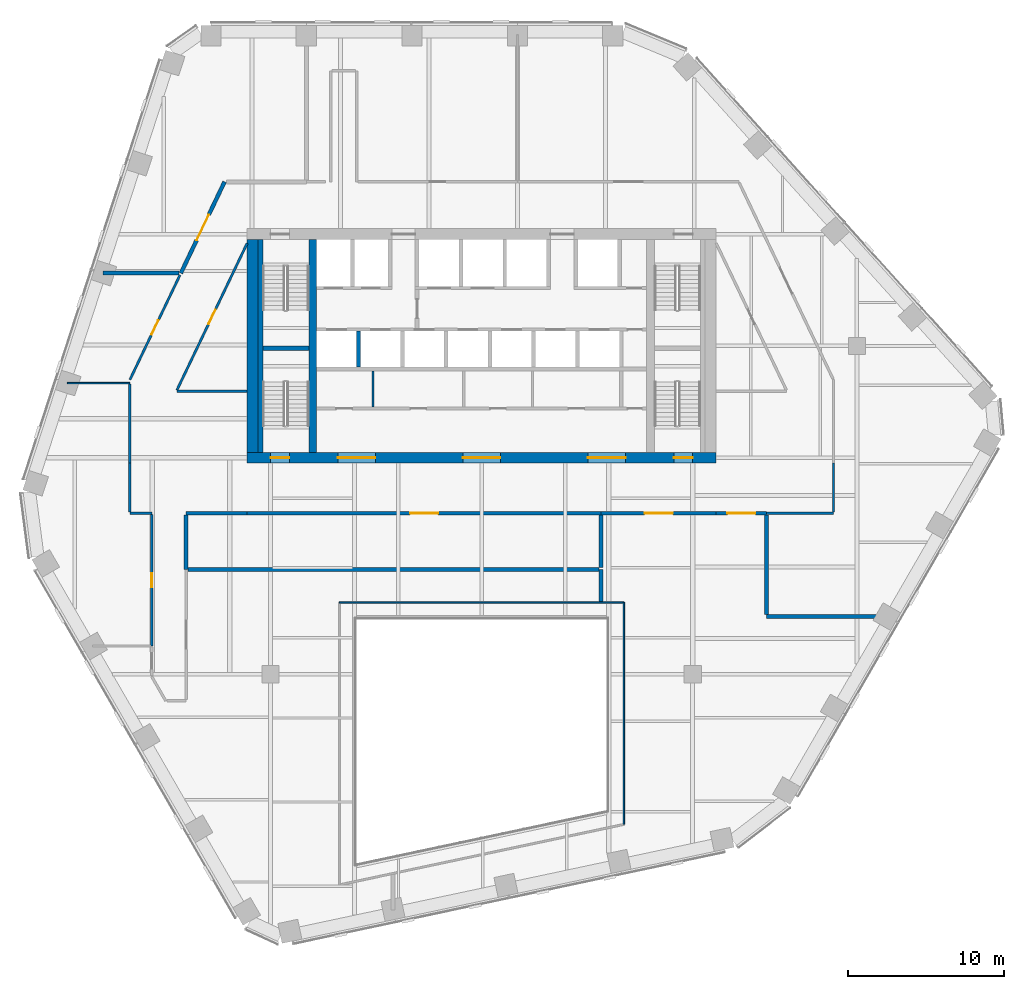
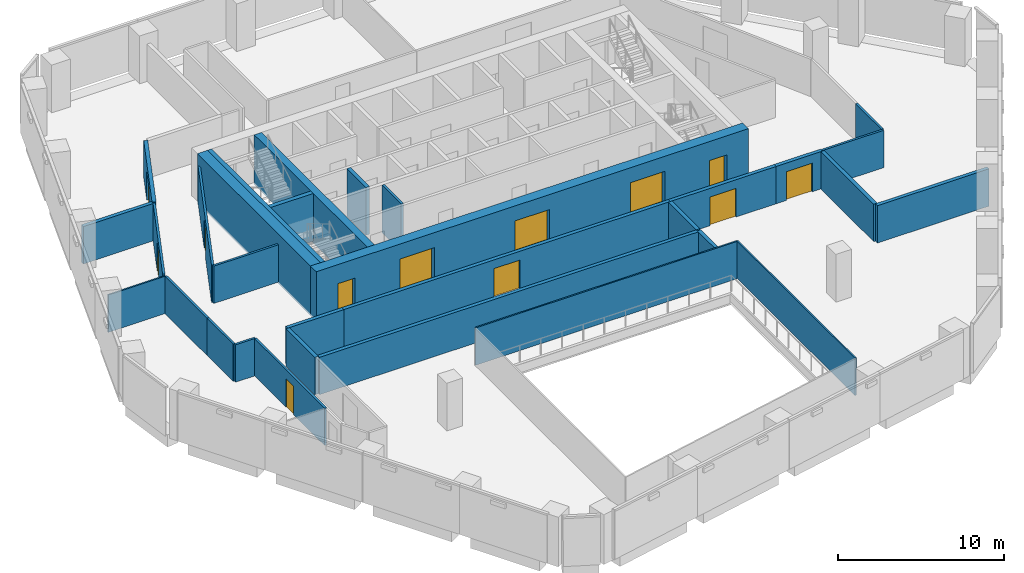
# One storey, part 11 of 17: 31 walls, 12 doors, 12 openings.
"""IFC4 building model written with IfcOpenShell, lengths in metres."""

from ifc_helpers import new_model, si_unit, direction, frame, frame_2d, origin, place, context, subcontext, project, spatial, rectangle, extrude, material, layer, layer_set, type_object, element, fill, save


model = new_model("IFC4")

# Units and contexts
model_context = context("Model", 3, precision=1e-05, world=origin(), true_north=direction((0.0, 1.0)))
body_context = subcontext(model_context, "Body", "Model", "MODEL_VIEW")
ifc_project = project(units=[si_unit("LENGTHUNIT", "METRE"), si_unit("AREAUNIT", "SQUARE_METRE"), si_unit("VOLUMEUNIT", "CUBIC_METRE"), si_unit("PLANEANGLEUNIT", "RADIAN"), si_unit("MASSUNIT", "GRAM", prefix="KILO")], contexts=[model_context])

# Site, building, storey
site_placement = place(None, origin())
site = spatial("IfcSite", under=ifc_project, at=site_placement, CompositionType="ELEMENT")
building_placement = place(site_placement, origin())
building = spatial("IfcBuilding", under=site, at=building_placement, Name="Isthmus Gate Tower", CompositionType="ELEMENT")
storey_placement = place(building_placement, frame((0.0, 0.0, 200.0)))
storey = spatial("IfcBuildingStorey", under=building, at=storey_placement, Name="L50", CompositionType="ELEMENT", Elevation=200.0)

# Wall, opening, door
ifc_material_1 = material(Name="Double-leaf acoustic stud wall, fire-rated", Category="gypsum")
ifc_layer_1 = layer(ifc_material_1, 0.25)
ifc_layer_set_1 = layer_set([ifc_layer_1], Name="ACOUSTIC WALL 250 60 MIN")
wall_type_1 = type_object("IfcWallType", Name="ACOUSTIC WALL 250 60 MIN", PredefinedType="PARTITIONING", material=ifc_layer_set_1)
wall_1_placement = place(storey_placement, frame((15.0, -3.199951171875, 0.0), z_axis=(0.0, 0.0, 1.0), x_axis=(-1.0, 0.0, 0.0)))
wall_1 = element("IfcWall", 1, at=wall_1_placement, inside=storey, type_object=wall_type_1, Name="L50 Acoustic Wall 250 60 Min", PredefinedType="PARTITIONING", context=body_context, shape_type="SweptSolid", body=[
    extrude(rectangle(XDim=7.35498046875, YDim=0.25, at=frame_2d((3.677490234375, 0.0))), origin(), (0.0, 0.0, 1.0), 2.7412109375),
])
opening_1_placement = place(wall_1_placement, frame((2.777587890625, 0.0, 0.0)))
opening_1 = element("IfcOpeningElement", 2, at=opening_1_placement, cuts=wall_1, Name="Opening DT-T4D-11", PredefinedType="OPENING", context=body_context, shape_type="SweptSolid", body=[
    extrude(rectangle(XDim=1.800048828125, YDim=2.10009765625, at=frame_2d((0.89990234375, 1.050048828125))), frame((0.0, 0.135009765625, 0.0), z_axis=(0.0, -1.0, 0.0), x_axis=(1.0, 0.0, 0.0)), (0.0, 0.0, 1.0), 0.27001953125),
])
ifc_material_2 = material(Name="Solid core timber door leaf, fire-rated", Category="wood")
door_type_1 = type_object("IfcDoorType", Name="FIRE DOOR ACOUSTIC ROOM 1800 X 2100 60 MIN", OperationType="DOUBLE_DOOR_DOUBLE_SWING", PredefinedType="DOOR", material=ifc_material_2)
door_1_placement = place(opening_1_placement, origin())
door_1 = element("IfcDoor", 3, at=door_1_placement, inside=storey, type_object=door_type_1, Name="L50 room door", OperationType="DOUBLE_DOOR_DOUBLE_SWING", OverallHeight=2.10009765625, OverallWidth=1.800048828125, PredefinedType="DOOR", context=body_context, shape_type="SweptSolid", body=[
    extrude(rectangle(XDim=1.800048828125, YDim=2.10009765625, at=frame_2d((0.89990234375, 1.050048828125))), frame((0.0, 0.02490234375, 0.0), z_axis=(0.0, -1.0, 0.0), x_axis=(1.0, 0.0, 0.0)), (0.0, 0.0, 1.0), 0.050048828125),
])
fill(opening_1, door_1)

wall_2_placement = place(storey_placement, frame((7.64501953125, -3.199951171875, 0.0), z_axis=(0.0, 0.0, 1.0), x_axis=(-1.0, 0.0, 0.0)))
wall_2 = element("IfcWall", 4, at=wall_2_placement, inside=storey, type_object=wall_type_1, Name="L50 Acoustic Wall 250 60 Min", PredefinedType="PARTITIONING", context=body_context, shape_type="SweptSolid", body=[
    extrude(rectangle(XDim=22.64501953125, YDim=0.25, at=frame_2d((11.322509765625, 0.0))), origin(), (0.0, 0.0, 1.0), 2.7412109375),
])
opening_2_placement = place(wall_2_placement, frame((10.422607421875, 0.0, 0.0)))
opening_2 = element("IfcOpeningElement", 5, at=opening_2_placement, cuts=wall_2, Name="Opening DT-T4D-13", PredefinedType="OPENING", context=body_context, shape_type="SweptSolid", body=[
    extrude(rectangle(XDim=1.800048828125, YDim=2.10009765625, at=frame_2d((0.89990234375, 1.050048828125))), frame((0.0, 0.135009765625, 0.0), z_axis=(0.0, -1.0, 0.0), x_axis=(1.0, 0.0, 0.0)), (0.0, 0.0, 1.0), 0.27001953125),
])
door_2_placement = place(opening_2_placement, origin())
door_2 = element("IfcDoor", 6, at=door_2_placement, inside=storey, type_object=door_type_1, Name="L50 room door", OperationType="DOUBLE_DOOR_DOUBLE_SWING", OverallHeight=2.10009765625, OverallWidth=1.800048828125, PredefinedType="DOOR", context=body_context, shape_type="SweptSolid", body=[
    extrude(rectangle(XDim=1.800048828125, YDim=2.10009765625, at=frame_2d((0.89990234375, 1.050048828125))), frame((0.0, 0.02490234375, 0.0), z_axis=(0.0, -1.0, 0.0), x_axis=(1.0, 0.0, 0.0)), (0.0, 0.0, 1.0), 0.050048828125),
])
fill(opening_2, door_2)

wall_3_placement = place(storey_placement, frame((18.222900390625, -3.199951171875, 0.0), z_axis=(0.0, 0.0, 1.0), x_axis=(-1.0, 0.0, 0.0)))
wall_3 = element("IfcWall", 7, at=wall_3_placement, inside=storey, type_object=wall_type_1, Name="L50 Acoustic Wall 250 60 Min", PredefinedType="PARTITIONING", context=body_context, shape_type="SweptSolid", body=[
    extrude(rectangle(XDim=3.222900390625, YDim=0.25, at=frame_2d((1.611328125, 0.0))), origin(), (0.0, 0.0, 1.0), 2.7412109375),
])
opening_3_placement = place(wall_3_placement, frame((0.71142578125, 0.0, 0.0)))
opening_3 = element("IfcOpeningElement", 8, at=opening_3_placement, cuts=wall_3, Name="Opening DT-T4D-12", PredefinedType="OPENING", context=body_context, shape_type="SweptSolid", body=[
    extrude(rectangle(XDim=1.800048828125, YDim=2.10009765625, at=frame_2d((0.89990234375, 1.050048828125))), frame((0.0, 0.135009765625, 0.0), z_axis=(0.0, -1.0, 0.0), x_axis=(1.0, 0.0, 0.0)), (0.0, 0.0, 1.0), 0.27001953125),
])
door_3_placement = place(opening_3_placement, origin())
door_3 = element("IfcDoor", 9, at=door_3_placement, inside=storey, type_object=door_type_1, Name="L50 room door", OperationType="DOUBLE_DOOR_DOUBLE_SWING", OverallHeight=2.10009765625, OverallWidth=1.800048828125, PredefinedType="DOOR", context=body_context, shape_type="SweptSolid", body=[
    extrude(rectangle(XDim=1.800048828125, YDim=2.10009765625, at=frame_2d((0.89990234375, 1.050048828125))), frame((0.0, 0.02490234375, 0.0), z_axis=(0.0, -1.0, 0.0), x_axis=(1.0, 0.0, 0.0)), (0.0, 0.0, 1.0), 0.050048828125),
])
fill(opening_3, door_3)

# Walls
wall_4_placement = place(storey_placement, frame((-15.0, -3.199951171875, 0.0), z_axis=(0.0, 0.0, 1.0), x_axis=(-1.0, 0.0, 0.0)))
element("IfcWall", 10, at=wall_4_placement, inside=storey, type_object=wall_type_1, Name="L50 Acoustic Wall 250 60 Min", PredefinedType="PARTITIONING", context=body_context, shape_type="SweptSolid", body=[
    extrude(rectangle(XDim=3.89990234375, YDim=0.25, at=frame_2d((1.949951171875, 0.0))), origin(), (0.0, 0.0, 1.0), 2.7412109375),
])
wall_5_placement = place(storey_placement, frame((-18.89990234375, -3.324951171875, 0.0), z_axis=(0.0, 0.0, 1.0), x_axis=(0.0, -1.0, 0.0)))
element("IfcWall", 11, at=wall_5_placement, inside=storey, type_object=wall_type_1, Name="L50 Acoustic Wall 250 60 Min", PredefinedType="PARTITIONING", context=body_context, shape_type="SweptSolid", body=[
    extrude(rectangle(XDim=3.47509765625, YDim=0.25, at=frame_2d((1.737548828125, 0.0))), origin(), (0.0, 0.0, 1.0), 2.7412109375),
])

# Wall, opening, door
wall_6_placement = place(storey_placement, frame((-19.239990234375, 12.156005859375, 0.0), z_axis=(0.0, 0.0, 1.0), x_axis=(0.43145149658, 0.902136135014, 0.0)))
wall_6 = element("IfcWall", 12, at=wall_6_placement, inside=storey, type_object=wall_type_1, Name="L50 Acoustic Wall 250 60 Min", PredefinedType="PARTITIONING", context=body_context, shape_type="SweptSolid", body=[
    extrude(rectangle(XDim=6.47802734375, YDim=0.25, at=frame_2d((3.239013671875, 0.0))), origin(), (0.0, 0.0, 1.0), 2.7412109375),
])
opening_4_placement = place(wall_6_placement, frame((2.339111328125, 0.0, 0.0)))
opening_4 = element("IfcOpeningElement", 13, at=opening_4_placement, cuts=wall_6, Name="Opening DT-T4D-02", PredefinedType="OPENING", context=body_context, shape_type="SweptSolid", body=[
    extrude(rectangle(XDim=1.800048828125, YDim=2.10009765625, at=frame_2d((0.89990234375, 1.050048828125))), frame((0.0, 0.135009765625, 0.0), z_axis=(0.0, -1.0, 0.0), x_axis=(1.0, 0.0, 0.0)), (0.0, 0.0, 1.0), 0.27001953125),
])
door_4_placement = place(opening_4_placement, origin())
door_4 = element("IfcDoor", 14, at=door_4_placement, inside=storey, type_object=door_type_1, Name="L50 room door", OperationType="DOUBLE_DOOR_DOUBLE_SWING", OverallHeight=2.10009765625, OverallWidth=1.800048828125, PredefinedType="DOOR", context=body_context, shape_type="SweptSolid", body=[
    extrude(rectangle(XDim=1.800048828125, YDim=2.10009765625, at=frame_2d((0.89990234375, 1.050048828125))), frame((0.0, 0.02490234375, 0.0), z_axis=(0.0, -1.0, 0.0), x_axis=(1.0, 0.0, 0.0)), (0.0, 0.0, 1.0), 0.050048828125),
])
fill(opening_4, door_4)

# Walls
wall_7_placement = place(storey_placement, frame((-24.217041015625, 12.156005859375, 0.0), z_axis=(0.0, 0.0, 1.0), x_axis=(1.0, 0.0, 0.0)))
element("IfcWall", 15, at=wall_7_placement, inside=storey, type_object=wall_type_1, Name="L50 Acoustic Wall 250 60 Min", PredefinedType="PARTITIONING", context=body_context, shape_type="SweptSolid", body=[
    extrude(rectangle(XDim=4.85205078125, YDim=0.25, at=frame_2d((2.426025390625, 0.0))), origin(), (0.0, 0.0, 1.0), 2.7412109375),
])
wall_8_placement = place(storey_placement, frame((18.222900390625, -9.81103515625, 0.0), z_axis=(0.0, 0.0, 1.0), x_axis=(1.0, 0.0, 0.0)))
element("IfcWall", 16, at=wall_8_placement, inside=storey, type_object=wall_type_1, Name="L50 Acoustic Wall 250 60 Min", PredefinedType="PARTITIONING", context=body_context, shape_type="SweptSolid", body=[
    extrude(rectangle(XDim=7.751220703125, YDim=0.25, at=frame_2d((3.87548828125, 0.0))), origin(), (0.0, 0.0, 1.0), 2.7412109375),
])
wall_9_placement = place(storey_placement, frame((7.64501953125, -8.85009765625, 0.0), z_axis=(0.0, 0.0, 1.0), x_axis=(0.0, 1.0, 0.0)))
element("IfcWall", 17, at=wall_9_placement, inside=storey, type_object=wall_type_1, Name="L50 Acoustic Wall 250 60 Min", PredefinedType="PARTITIONING", context=body_context, shape_type="SweptSolid", body=[
    extrude(rectangle(XDim=2.050048828125, YDim=0.25, at=frame_2d((1.02490234375, 0.0))), origin(), (0.0, 0.0, 1.0), 2.7412109375),
])
wall_10_placement = place(storey_placement, frame((18.222900390625, -9.68603515625, 0.0), z_axis=(0.0, 0.0, 1.0), x_axis=(0.0, 1.0, 0.0)))
element("IfcWall", 18, at=wall_10_placement, inside=storey, type_object=wall_type_1, Name="L50 Acoustic Wall 250 60 Min", PredefinedType="PARTITIONING", context=body_context, shape_type="SweptSolid", body=[
    extrude(rectangle(XDim=6.361083984375, YDim=0.25, at=frame_2d((3.1806640625, 0.0))), origin(), (0.0, 0.0, 1.0), 2.7412109375),
])
wall_11_placement = place(storey_placement, frame((-18.77490234375, -6.800048828125, 0.0), z_axis=(0.0, 0.0, 1.0), x_axis=(1.0, 0.0, 0.0)))
element("IfcWall", 19, at=wall_11_placement, inside=storey, type_object=wall_type_1, Name="L50 Acoustic Wall 250 60 Min", PredefinedType="PARTITIONING", context=body_context, shape_type="SweptSolid", body=[
    extrude(rectangle(XDim=26.294921875, YDim=0.25, at=frame_2d((13.1474609375, 0.0))), origin(), (0.0, 0.0, 1.0), 2.7412109375),
])
wall_12_placement = place(storey_placement, frame((7.64501953125, -6.675048828125, 0.0), z_axis=(0.0, 0.0, 1.0), x_axis=(0.0, 1.0, 0.0)))
element("IfcWall", 20, at=wall_12_placement, inside=storey, type_object=wall_type_1, Name="L50 Acoustic Wall 250 60 Min", PredefinedType="PARTITIONING", context=body_context, shape_type="SweptSolid", body=[
    extrude(rectangle(XDim=3.35009765625, YDim=0.25, at=frame_2d((1.675048828125, 0.0))), origin(), (0.0, 0.0, 1.0), 2.7412109375),
])
ifc_material_3 = material(Name="Fire-rated laminated glass in steel frame", Category="steel")
ifc_layer_2 = layer(ifc_material_3, 0.10009765625)
ifc_layer_set_2 = layer_set([ifc_layer_2], Name="ATRIUM SCREEN GLAZED WALL 100 120 MIN")
wall_type_2 = type_object("IfcWallType", Name="ATRIUM SCREEN GLAZED WALL 100 120 MIN", PredefinedType="PARTITIONING", material=ifc_layer_set_2)
wall_13_placement = place(storey_placement, frame((-9.10009765625, -8.89990234375, 0.0), z_axis=(0.0, 0.0, 1.0), x_axis=(1.0, 0.0, 0.0)))
element("IfcWall", 21, at=wall_13_placement, inside=storey, type_object=wall_type_2, Name="L50 atrium screen", PredefinedType="PARTITIONING", context=body_context, shape_type="SweptSolid", body=[
    extrude(rectangle(XDim=18.2001953125, YDim=0.10009765625, at=frame_2d((9.10009765625, 0.0))), origin(), (0.0, 0.0, 1.0), 2.7412109375),
])
wall_14_placement = place(storey_placement, frame((9.10009765625, -8.89990234375, 0.0), z_axis=(0.0, 0.0, 1.0), x_axis=(0.0, -1.0, 0.0)))
element("IfcWall", 22, at=wall_14_placement, inside=storey, type_object=wall_type_2, Name="L50 atrium screen", PredefinedType="PARTITIONING", context=body_context, shape_type="SweptSolid", body=[
    extrude(rectangle(XDim=14.200927734375, YDim=0.10009765625, at=frame_2d((7.1005859375, 0.0))), origin(), (0.0, 0.0, 1.0), 2.7412109375),
])
ifc_material_4 = material(Name="Gypsum board on steel studs, fire-rated", Category="steel")
ifc_layer_3 = layer(ifc_material_4, 0.14990234375)
ifc_layer_set_3 = layer_set([ifc_layer_3], Name="CORRIDOR WALL 150 60 MIN")
wall_type_3 = type_object("IfcWallType", Name="CORRIDOR WALL 150 60 MIN", PredefinedType="PARTITIONING", material=ifc_layer_set_3)
wall_15_placement = place(storey_placement, frame((22.5, -3.199951171875, 0.0), z_axis=(0.0, 0.0, 1.0), x_axis=(-1.0, 0.0, 0.0)))
element("IfcWall", 23, at=wall_15_placement, inside=storey, type_object=wall_type_3, Name="L50 Corridor Wall 150 60 Min", PredefinedType="PARTITIONING", context=body_context, shape_type="SweptSolid", body=[
    extrude(rectangle(XDim=4.277099609375, YDim=0.14990234375, at=frame_2d((2.138671875, 0.0))), origin(), (0.0, 0.0, 1.0), 2.7412109375),
])
wall_16_placement = place(storey_placement, frame((22.5, 0.0, 0.0), z_axis=(0.0, 0.0, 1.0), x_axis=(0.0, -1.0, 0.0)))
element("IfcWall", 24, at=wall_16_placement, inside=storey, type_object=wall_type_3, Name="L50 Corridor Wall 150 60 Min", PredefinedType="PARTITIONING", context=body_context, shape_type="SweptSolid", body=[
    extrude(rectangle(XDim=3.125, YDim=0.14990234375, at=frame_2d((1.5625, 0.0))), origin(), (0.0, 0.0, 1.0), 2.7412109375),
])
wall_17_placement = place(storey_placement, frame((-21.10009765625, -3.199951171875, 0.0), z_axis=(0.0, 0.0, 1.0), x_axis=(-1.0, 0.0, 0.0)))
element("IfcWall", 25, at=wall_17_placement, inside=storey, type_object=wall_type_3, Name="L50 Corridor Wall 150 60 Min", PredefinedType="PARTITIONING", context=body_context, shape_type="SweptSolid", body=[
    extrude(rectangle(XDim=1.39990234375, YDim=0.14990234375, at=frame_2d((0.699951171875, 0.0))), origin(), (0.0, 0.0, 1.0), 2.7412109375),
])

# Wall, opening, door
wall_18_placement = place(storey_placement, frame((-15.0, 14.069091796875, 0.0), z_axis=(0.0, 0.0, 1.0), x_axis=(-0.43146462293, -0.902129857149, 0.0)))
wall_18 = element("IfcWall", 26, at=wall_18_placement, inside=storey, type_object=wall_type_3, Name="L50 Corridor Wall 150 60 Min", PredefinedType="PARTITIONING", context=body_context, shape_type="SweptSolid", body=[
    extrude(rectangle(XDim=10.4130859375, YDim=0.14990234375, at=frame_2d((5.20654296875, 0.0))), origin(), (0.0, 0.0, 1.0), 2.7412109375),
])
opening_5_placement = place(wall_18_placement, frame((4.71484375, 0.0, 0.0)))
opening_5 = element("IfcOpeningElement", 27, at=opening_5_placement, cuts=wall_18, Name="Opening DT-T4D-06", PredefinedType="OPENING", context=body_context, shape_type="SweptSolid", body=[
    extrude(rectangle(XDim=1.0, YDim=2.10009765625, at=frame_2d((0.5, 1.050048828125))), frame((0.0, 0.0849609375, 0.0), z_axis=(0.0, -1.0, 0.0), x_axis=(1.0, 0.0, 0.0)), (0.0, 0.0, 1.0), 0.169921875),
])
ifc_material_5 = material(Name="Solid core timber door leaf, fire-rated", Category="wood")
door_type_2 = type_object("IfcDoorType", Name="FIRE DOOR ROOM 1000 X 2100 60 MIN", OperationType="SINGLE_SWING_LEFT", PredefinedType="DOOR", material=ifc_material_5)
door_5_placement = place(opening_5_placement, origin())
door_5 = element("IfcDoor", 28, at=door_5_placement, inside=storey, type_object=door_type_2, Name="L50 room door", OperationType="SINGLE_SWING_RIGHT", OverallHeight=2.10009765625, OverallWidth=1.0, PredefinedType="DOOR", context=body_context, shape_type="SweptSolid", body=[
    extrude(rectangle(XDim=1.0, YDim=2.10009765625, at=frame_2d((0.5, 1.050048828125))), frame((0.0, 0.02490234375, 0.0), z_axis=(0.0, -1.0, 0.0), x_axis=(1.0, 0.0, 0.0)), (0.0, 0.0, 1.0), 0.050048828125),
])
fill(opening_5, door_5)

wall_19_placement = place(storey_placement, frame((-22.5, 5.340087890625, 0.0), z_axis=(0.0, 0.0, 1.0), x_axis=(0.431478749841, 0.902123100489, 0.0)))
wall_19 = element("IfcWall", 29, at=wall_19_placement, inside=storey, type_object=wall_type_3, Name="L50 Corridor Wall 150 60 Min", PredefinedType="PARTITIONING", context=body_context, shape_type="SweptSolid", body=[
    extrude(rectangle(XDim=7.430419921875, YDim=0.14990234375, at=frame_2d((3.71533203125, 0.0))), origin(), (0.0, 0.0, 1.0), 2.7412109375),
])
opening_6_placement = place(wall_19_placement, frame((3.215087890625, 0.0, 0.0)))
opening_6 = element("IfcOpeningElement", 30, at=opening_6_placement, cuts=wall_19, Name="Opening DT-T4D-05", PredefinedType="OPENING", context=body_context, shape_type="SweptSolid", body=[
    extrude(rectangle(XDim=1.0, YDim=2.10009765625, at=frame_2d((0.5, 1.050048828125))), frame((0.0, 0.0849609375, 0.0), z_axis=(0.0, -1.0, 0.0), x_axis=(1.0, 0.0, 0.0)), (0.0, 0.0, 1.0), 0.169921875),
])
door_6_placement = place(opening_6_placement, origin())
door_6 = element("IfcDoor", 31, at=door_6_placement, inside=storey, type_object=door_type_2, Name="L50 room door", OperationType="SINGLE_SWING_RIGHT", OverallHeight=2.10009765625, OverallWidth=1.0, PredefinedType="DOOR", context=body_context, shape_type="SweptSolid", body=[
    extrude(rectangle(XDim=1.0, YDim=2.10009765625, at=frame_2d((0.5, 1.050048828125))), frame((0.0, 0.02490234375, 0.0), z_axis=(0.0, -1.0, 0.0), x_axis=(1.0, 0.0, 0.0)), (0.0, 0.0, 1.0), 0.050048828125),
])
fill(opening_6, door_6)

# Walls
wall_20_placement = place(storey_placement, frame((-19.5, 4.60009765625, 0.0), z_axis=(0.0, 0.0, 1.0), x_axis=(1.0, 0.0, 0.0)))
element("IfcWall", 32, at=wall_20_placement, inside=storey, type_object=wall_type_3, Name="L50 Corridor Wall 150 60 Min", PredefinedType="PARTITIONING", context=body_context, shape_type="SweptSolid", body=[
    extrude(rectangle(XDim=4.5, YDim=0.14990234375, at=frame_2d((2.25, 0.0))), origin(), (0.0, 0.0, 1.0), 2.7412109375),
])
wall_21_placement = place(storey_placement, frame((-22.5, -3.125, 0.0), z_axis=(0.0, 0.0, 1.0), x_axis=(0.0, 1.0, 0.0)))
element("IfcWall", 33, at=wall_21_placement, inside=storey, type_object=wall_type_3, Name="L50 Corridor Wall 150 60 Min", PredefinedType="PARTITIONING", context=body_context, shape_type="SweptSolid", body=[
    extrude(rectangle(XDim=3.125, YDim=0.14990234375, at=frame_2d((1.5625, 0.0))), origin(), (0.0, 0.0, 1.0), 2.7412109375),
])
wall_22_placement = place(storey_placement, frame((-22.5, 0.0, 0.0), z_axis=(0.0, 0.0, 1.0), x_axis=(0.0, 1.0, 0.0)))
element("IfcWall", 34, at=wall_22_placement, inside=storey, type_object=wall_type_3, Name="L50 Corridor Wall 150 60 Min", PredefinedType="PARTITIONING", context=body_context, shape_type="SweptSolid", body=[
    extrude(rectangle(XDim=5.076904296875, YDim=0.14990234375, at=frame_2d((2.53857421875, 0.0))), origin(), (0.0, 0.0, 1.0), 2.7412109375),
])

# Wall, opening, door
wall_23_placement = place(storey_placement, frame((-21.10009765625, -11.693115234375, 0.0), z_axis=(0.0, 0.0, 1.0), x_axis=(0.0, 1.0, 0.0)))
wall_23 = element("IfcWall", 35, at=wall_23_placement, inside=storey, type_object=wall_type_3, Name="L50 Corridor Wall 150 60 Min", PredefinedType="PARTITIONING", context=body_context, shape_type="SweptSolid", body=[
    extrude(rectangle(XDim=8.418212890625, YDim=0.14990234375, at=frame_2d((4.208984375, 0.0))), origin(), (0.0, 0.0, 1.0), 2.7412109375),
])
opening_7_placement = place(wall_23_placement, frame((3.759033203125, 0.0, 0.0)))
opening_7 = element("IfcOpeningElement", 36, at=opening_7_placement, cuts=wall_23, Name="Opening DT-T4D-08", PredefinedType="OPENING", context=body_context, shape_type="SweptSolid", body=[
    extrude(rectangle(XDim=0.89990234375, YDim=2.10009765625, at=frame_2d((0.449951171875, 1.050048828125))), frame((0.0, 0.0849609375, 0.0), z_axis=(0.0, -1.0, 0.0), x_axis=(1.0, 0.0, 0.0)), (0.0, 0.0, 1.0), 0.169921875),
])
ifc_material_6 = material(Name="Solid core timber door leaf, fire-rated", Category="wood")
door_type_3 = type_object("IfcDoorType", Name="FIRE DOOR ROOM 900 X 2100 60 MIN", OperationType="SINGLE_SWING_LEFT", PredefinedType="DOOR", material=ifc_material_6)
door_7_placement = place(opening_7_placement, origin())
door_7 = element("IfcDoor", 37, at=door_7_placement, inside=storey, type_object=door_type_3, Name="L50 room door", OperationType="SINGLE_SWING_RIGHT", OverallHeight=2.10009765625, OverallWidth=0.89990234375, PredefinedType="DOOR", context=body_context, shape_type="SweptSolid", body=[
    extrude(rectangle(XDim=0.89990234375, YDim=2.10009765625, at=frame_2d((0.449951171875, 1.050048828125))), frame((0.0, 0.02490234375, 0.0), z_axis=(0.0, -1.0, 0.0), x_axis=(1.0, 0.0, 0.0)), (0.0, 0.0, 1.0), 0.050048828125),
])
fill(opening_7, door_7)

# Wall
ifc_material_7 = material(Name="Concrete f'c 60 MPa", Category="concrete")
ifc_layer_4 = layer(ifc_material_7, 0.5)
ifc_layer_set_4 = layer_set([ifc_layer_4], Name="RC CORE SPINE WALL 500 F'C 60")
wall_type_4 = type_object("IfcWallType", Name="RC CORE SPINE WALL 500 F'C 60", PredefinedType="SOLIDWALL", material=ifc_layer_set_4)
wall_24_placement = place(storey_placement, frame((-10.800048828125, 0.699951171875, -0.14990234375), z_axis=(0.0, 0.0, 1.0), x_axis=(0.0, 1.0, 0.0)))
element("IfcWall", 38, at=wall_24_placement, inside=storey, type_object=wall_type_4, Name="str-corewall-L50-SPW", PredefinedType="SOLIDWALL", context=body_context, shape_type="SweptSolid", body=[
    extrude(rectangle(XDim=13.60009765625, YDim=0.5, at=frame_2d((6.800048828125, 0.0))), origin(), (0.0, 0.0, 1.0), 3.64990234375),
])

# Wall, openings, doors
ifc_material_8 = material(Name="Concrete f'c 60 MPa", Category="concrete")
ifc_layer_5 = layer(ifc_material_8, 0.699951171875)
ifc_layer_set_5 = layer_set([ifc_layer_5], Name="RC CORE WALL 700 F'C 60")
wall_type_5 = type_object("IfcWallType", Name="RC CORE WALL 700 F'C 60", PredefinedType="SOLIDWALL", material=ifc_layer_set_5)
wall_25_placement = place(storey_placement, frame((-15.0, 0.35009765625, -0.14990234375), z_axis=(0.0, 0.0, 1.0), x_axis=(1.0, 0.0, 0.0)))
wall_25 = element("IfcWall", 39, at=wall_25_placement, inside=storey, type_object=wall_type_5, Name="str-corewall-L50-S", PredefinedType="SOLIDWALL", context=body_context, shape_type="SweptSolid", body=[
    extrude(rectangle(XDim=30.0, YDim=0.699951171875, at=frame_2d((15.0, 0.0))), origin(), (0.0, 0.0, 1.0), 3.64990234375),
])
opening_8_placement = place(wall_25_placement, frame((5.800048828125, 0.0, 0.14990234375)))
opening_8 = element("IfcOpeningElement", 40, at=opening_8_placement, cuts=wall_25, Name="Opening DC-A13-09", PredefinedType="OPENING", context=body_context, shape_type="SweptSolid", body=[
    extrude(rectangle(XDim=2.39990234375, YDim=2.39990234375, at=frame_2d((1.199951171875, 1.199951171875))), frame((0.0, 0.35986328125, 0.0), z_axis=(0.0, -1.0, 0.0), x_axis=(1.0, 0.0, 0.0)), (0.0, 0.0, 1.0), 0.719970703125),
])
opening_9_placement = place(wall_25_placement, frame((13.800048828125, 0.0, 0.14990234375)))
opening_9 = element("IfcOpeningElement", 41, at=opening_9_placement, cuts=wall_25, Name="Opening DC-A13-10", PredefinedType="OPENING", context=body_context, shape_type="SweptSolid", body=[
    extrude(rectangle(XDim=2.39990234375, YDim=2.39990234375, at=frame_2d((1.199951171875, 1.199951171875))), frame((0.0, 0.35986328125, 0.0), z_axis=(0.0, -1.0, 0.0), x_axis=(1.0, 0.0, 0.0)), (0.0, 0.0, 1.0), 0.719970703125),
])
opening_10_placement = place(wall_25_placement, frame((21.800048828125, 0.0, 0.14990234375)))
opening_10 = element("IfcOpeningElement", 42, at=opening_10_placement, cuts=wall_25, Name="Opening DC-A13-11", PredefinedType="OPENING", context=body_context, shape_type="SweptSolid", body=[
    extrude(rectangle(XDim=2.39990234375, YDim=2.39990234375, at=frame_2d((1.199951171875, 1.199951171875))), frame((0.0, 0.35986328125, 0.0), z_axis=(0.0, -1.0, 0.0), x_axis=(1.0, 0.0, 0.0)), (0.0, 0.0, 1.0), 0.719970703125),
])
opening_11_placement = place(wall_25_placement, frame((1.5, 0.0, 0.14990234375)))
opening_11 = element("IfcOpeningElement", 43, at=opening_11_placement, cuts=wall_25, Name="Opening DC-A13-16", PredefinedType="OPENING", context=body_context, shape_type="SweptSolid", body=[
    extrude(rectangle(XDim=1.199951171875, YDim=2.10009765625, at=frame_2d((0.60009765625, 1.050048828125))), frame((0.0, 0.35986328125, 0.0), z_axis=(0.0, -1.0, 0.0), x_axis=(1.0, 0.0, 0.0)), (0.0, 0.0, 1.0), 0.719970703125),
])
opening_12_placement = place(wall_25_placement, frame((27.300048828125, 0.0, 0.14990234375)))
opening_12 = element("IfcOpeningElement", 44, at=opening_12_placement, cuts=wall_25, Name="Opening DC-A13-17", PredefinedType="OPENING", context=body_context, shape_type="SweptSolid", body=[
    extrude(rectangle(XDim=1.199951171875, YDim=2.10009765625, at=frame_2d((0.60009765625, 1.050048828125))), frame((0.0, 0.35986328125, 0.0), z_axis=(0.0, -1.0, 0.0), x_axis=(1.0, 0.0, 0.0)), (0.0, 0.0, 1.0), 0.719970703125),
])
ifc_material_9 = material(Name="Laminated safety glass in steel frame, fire-rated", Category="steel")
door_type_4 = type_object("IfcDoorType", Name="LOBBY ENTRANCE FIRE DOOR 2400 X 2400 60 MIN", OperationType="DOUBLE_DOOR_DOUBLE_SWING", PredefinedType="DOOR", material=ifc_material_9)
door_8_placement = place(opening_8_placement, origin())
door_8 = element("IfcDoor", 45, at=door_8_placement, inside=storey, type_object=door_type_4, Name="Lobby Entrance PS-W", OperationType="DOUBLE_DOOR_DOUBLE_SWING", OverallHeight=2.39990234375, OverallWidth=2.39990234375, PredefinedType="DOOR", context=body_context, shape_type="SweptSolid", body=[
    extrude(rectangle(XDim=2.39990234375, YDim=2.39990234375, at=frame_2d((1.199951171875, 1.199951171875))), frame((0.0, 0.02490234375, 0.0), z_axis=(0.0, -1.0, 0.0), x_axis=(1.0, 0.0, 0.0)), (0.0, 0.0, 1.0), 0.050048828125),
])
fill(opening_8, door_8)
door_9_placement = place(opening_9_placement, origin())
door_9 = element("IfcDoor", 46, at=door_9_placement, inside=storey, type_object=door_type_4, Name="Lobby Entrance PS-C", OperationType="DOUBLE_DOOR_DOUBLE_SWING", OverallHeight=2.39990234375, OverallWidth=2.39990234375, PredefinedType="DOOR", context=body_context, shape_type="SweptSolid", body=[
    extrude(rectangle(XDim=2.39990234375, YDim=2.39990234375, at=frame_2d((1.199951171875, 1.199951171875))), frame((0.0, 0.02490234375, 0.0), z_axis=(0.0, -1.0, 0.0), x_axis=(1.0, 0.0, 0.0)), (0.0, 0.0, 1.0), 0.050048828125),
])
fill(opening_9, door_9)
door_10_placement = place(opening_10_placement, origin())
door_10 = element("IfcDoor", 47, at=door_10_placement, inside=storey, type_object=door_type_4, Name="Lobby Entrance PS-E", OperationType="DOUBLE_DOOR_DOUBLE_SWING", OverallHeight=2.39990234375, OverallWidth=2.39990234375, PredefinedType="DOOR", context=body_context, shape_type="SweptSolid", body=[
    extrude(rectangle(XDim=2.39990234375, YDim=2.39990234375, at=frame_2d((1.199951171875, 1.199951171875))), frame((0.0, 0.02490234375, 0.0), z_axis=(0.0, -1.0, 0.0), x_axis=(1.0, 0.0, 0.0)), (0.0, 0.0, 1.0), 0.050048828125),
])
fill(opening_10, door_10)
ifc_material_10 = material(Name="Steel door leaf, fire-rated", Category="steel")
door_type_5 = type_object("IfcDoorType", Name="STAIR FIRE DOOR 1200 X 2100 90 MIN", OperationType="SINGLE_SWING_LEFT", PredefinedType="DOOR", material=ifc_material_10)
door_11_placement = place(opening_11_placement, origin())
door_11 = element("IfcDoor", 48, at=door_11_placement, inside=storey, type_object=door_type_5, Name="Exit Stair 7 Door", OperationType="SINGLE_SWING_LEFT", OverallHeight=2.10009765625, OverallWidth=1.199951171875, PredefinedType="DOOR", context=body_context, shape_type="SweptSolid", body=[
    extrude(rectangle(XDim=1.199951171875, YDim=2.10009765625, at=frame_2d((0.60009765625, 1.050048828125))), frame((0.0, 0.02490234375, 0.0), z_axis=(0.0, -1.0, 0.0), x_axis=(1.0, 0.0, 0.0)), (0.0, 0.0, 1.0), 0.050048828125),
])
fill(opening_11, door_11)
door_12_placement = place(opening_12_placement, origin())
door_12 = element("IfcDoor", 49, at=door_12_placement, inside=storey, type_object=door_type_5, Name="Exit Stair 8 Door", OperationType="SINGLE_SWING_RIGHT", OverallHeight=2.10009765625, OverallWidth=1.199951171875, PredefinedType="DOOR", context=body_context, shape_type="SweptSolid", body=[
    extrude(rectangle(XDim=1.199951171875, YDim=2.10009765625, at=frame_2d((0.60009765625, 1.050048828125))), frame((0.0, 0.02490234375, 0.0), z_axis=(0.0, -1.0, 0.0), x_axis=(1.0, 0.0, 0.0)), (0.0, 0.0, 1.0), 0.050048828125),
])
fill(opening_12, door_12)

# Walls
wall_26_placement = place(storey_placement, frame((-14.64990234375, 0.699951171875, -0.14990234375), z_axis=(0.0, 0.0, 1.0), x_axis=(0.0, 1.0, 0.0)))
element("IfcWall", 50, at=wall_26_placement, inside=storey, type_object=wall_type_5, Name="str-corewall-L50-W", PredefinedType="SOLIDWALL", context=body_context, shape_type="SweptSolid", body=[
    extrude(rectangle(XDim=13.60009765625, YDim=0.699951171875, at=frame_2d((6.800048828125, 0.0))), origin(), (0.0, 0.0, 1.0), 3.64990234375),
])
ifc_material_11 = material(Name="Gypsum board on steel studs, fire-rated", Category="steel")
ifc_layer_6 = layer(ifc_material_11, 0.10009765625)
ifc_layer_set_6 = layer_set([ifc_layer_6], Name="ROOM PARTITION 100 30 MIN")
wall_type_6 = type_object("IfcWallType", Name="ROOM PARTITION 100 30 MIN", PredefinedType="PARTITIONING", material=ifc_layer_set_6)
wall_27_placement = place(storey_placement, frame((-26.5009765625, 5.126953125, 0.0), z_axis=(0.0, 0.0, 1.0), x_axis=(1.0, 0.0, 0.0)))
element("IfcWall", 51, at=wall_27_placement, inside=storey, type_object=wall_type_6, Name="L50 Room Partition 100 30 Min", PredefinedType="PARTITIONING", context=body_context, shape_type="SweptSolid", body=[
    extrude(rectangle(XDim=3.97607421875, YDim=0.10009765625, at=frame_2d((1.988037109375, 0.0))), origin(), (0.0, 0.0, 1.0), 2.7412109375),
])
ifc_material_12 = material(Name="Gypsum board on steel studs, fire-rated", Category="steel")
ifc_layer_7 = layer(ifc_material_12, 0.14990234375)
ifc_layer_set_7 = layer_set([ifc_layer_7], Name="ROOM PARTITION 150 60 MIN")
wall_type_7 = type_object("IfcWallType", Name="ROOM PARTITION 150 60 MIN", PredefinedType="PARTITIONING", material=ifc_layer_set_7)
wall_28_placement = place(storey_placement, frame((-6.949951171875, 3.60009765625, 0.0), z_axis=(0.0, 0.0, 1.0), x_axis=(0.0, 1.0, 0.0)))
element("IfcWall", 52, at=wall_28_placement, inside=storey, type_object=wall_type_7, Name="L50 ROOM PARTITION 150 60 MIN", PredefinedType="PARTITIONING", context=body_context, shape_type="SweptSolid", body=[
    extrude(rectangle(XDim=2.2998046875, YDim=0.14990234375, at=frame_2d((1.14990234375, 0.0))), origin(), (0.0, 0.0, 1.0), 3.5),
])
ifc_material_13 = material(Name="Fire-rated blockwork masonry, 15 MPa", Category="masonry")
ifc_layer_8 = layer(ifc_material_13, 0.25)
ifc_layer_set_8 = layer_set([ifc_layer_8], Name="SHAFT WALL 250 120 MIN")
wall_type_8 = type_object("IfcWallType", Name="SHAFT WALL 250 120 MIN", PredefinedType="PARTITIONING", material=ifc_layer_set_8)
wall_29_placement = place(storey_placement, frame((-7.875, 6.14990234375, 0.0), z_axis=(0.0, 0.0, 1.0), x_axis=(0.0, 1.0, 0.0)))
element("IfcWall", 53, at=wall_29_placement, inside=storey, type_object=wall_type_8, Name="L50 SHAFT WALL 250 120 MIN", PredefinedType="PARTITIONING", context=body_context, shape_type="SweptSolid", body=[
    extrude(rectangle(XDim=2.300048828125, YDim=0.25, at=frame_2d((1.14990234375, 0.0))), origin(), (0.0, 0.0, 1.0), 3.5),
])
ifc_material_14 = material(Name="Concrete f'c 40 MPa", Category="concrete")
ifc_layer_9 = layer(ifc_material_14, 0.300048828125)
ifc_layer_set_9 = layer_set([ifc_layer_9], Name="STAIR ENCLOSURE WALL 300 180 MIN")
wall_type_9 = type_object("IfcWallType", Name="STAIR ENCLOSURE WALL 300 180 MIN", PredefinedType="SOLIDWALL", material=ifc_layer_set_9)
wall_30_placement = place(storey_placement, frame((-14.0, 7.35009765625, 0.0), z_axis=(0.0, 0.0, 1.0), x_axis=(1.0, 0.0, 0.0)))
element("IfcWall", 54, at=wall_30_placement, inside=storey, type_object=wall_type_9, Name="L50 STAIR ENCLOSURE WALL 300 180 MIN", PredefinedType="SOLIDWALL", context=body_context, shape_type="SweptSolid", body=[
    extrude(rectangle(XDim=2.949951171875, YDim=0.300048828125, at=frame_2d((1.47509765625, 0.0))), origin(), (0.0, 0.0, 1.0), 3.5),
])
wall_31_placement = place(storey_placement, frame((-14.14990234375, 0.699951171875, 0.0), z_axis=(0.0, 0.0, 1.0), x_axis=(0.0, 1.0, 0.0)))
element("IfcWall", 55, at=wall_31_placement, inside=storey, type_object=wall_type_9, Name="L50 STAIR ENCLOSURE WALL 300 180 MIN", PredefinedType="SOLIDWALL", context=body_context, shape_type="SweptSolid", body=[
    extrude(rectangle(XDim=13.60009765625, YDim=0.300048828125, at=frame_2d((6.800048828125, 0.0))), origin(), (0.0, 0.0, 1.0), 3.5),
])

save(model, "model.ifc")
